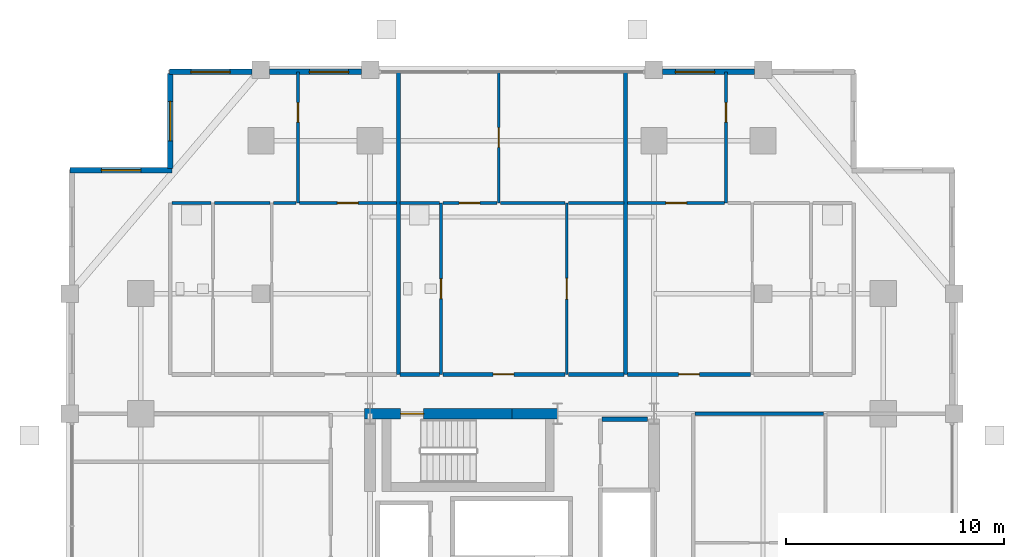
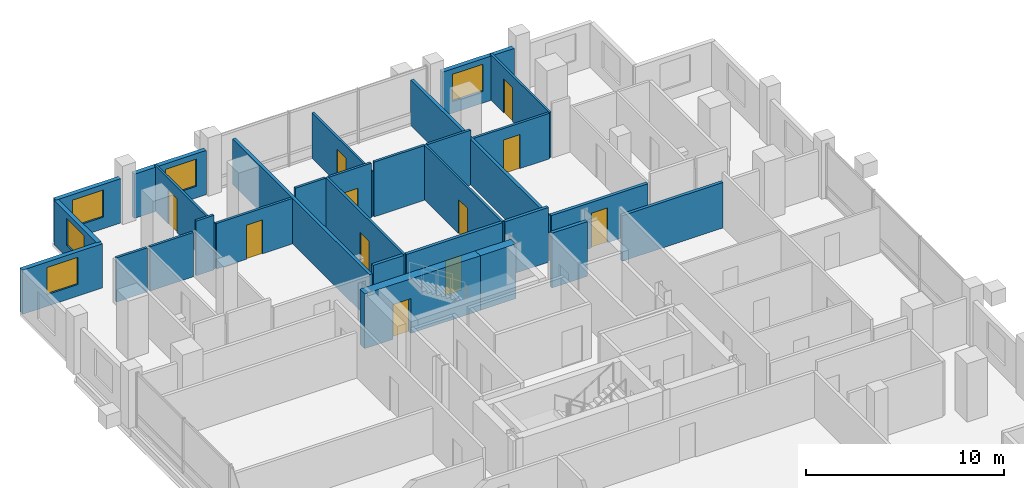
# One storey, part 16 of 19: 29 walls, 11 doors, 5 windows, 16 openings.
"""IFC4 building model written with IfcOpenShell, lengths in metres."""

from ifc_helpers import new_model, si_unit, direction, frame, frame_2d, origin, place, context, subcontext, project, spatial, rectangle, extrude, material, layer, layer_set, type_object, element, fill, save


model = new_model("IFC4")

# Units and contexts
model_context = context("Model", 3, precision=1e-05, world=origin(), true_north=direction((0.0, 1.0)))
body_context = subcontext(model_context, "Body", "Model", "MODEL_VIEW")
ifc_project = project(units=[si_unit("LENGTHUNIT", "METRE"), si_unit("AREAUNIT", "SQUARE_METRE"), si_unit("VOLUMEUNIT", "CUBIC_METRE"), si_unit("PLANEANGLEUNIT", "RADIAN"), si_unit("MASSUNIT", "GRAM", prefix="KILO")], contexts=[model_context])

# Site, building, storey
site_placement = place(None, origin())
site = spatial("IfcSite", under=ifc_project, at=site_placement, CompositionType="ELEMENT")
building_placement = place(site_placement, origin())
building = spatial("IfcBuilding", under=site, at=building_placement, Name="Barlavira Tower and Art Museum", CompositionType="ELEMENT")
storey_placement = place(building_placement, frame((0.0, 0.0, 113.39990234375)))
storey = spatial("IfcBuildingStorey", under=building, at=storey_placement, Name="L28", CompositionType="ELEMENT", Elevation=113.39990234375)

# Wall, opening, door
ifc_material_1 = material(Name="Gypsum acoustic stud partition", Category="gypsum")
ifc_layer_1 = layer(ifc_material_1, 0.1201171875, Name="Gypsum acoustic stud partition")
ifc_layer_set_1 = layer_set([ifc_layer_1], Name="Gypsum acoustic stud partition")
wall_type_1 = type_object("IfcWallType", Name="Apartment Internal Acoustic Partition 120", PredefinedType="PARTITIONING", material=ifc_layer_set_1)
wall_1_placement = place(storey_placement, frame((-9.800048828125, 17.14990234375, 0.0), z_axis=(0.0, 0.0, 1.0), x_axis=(0.0, 1.0, 0.0)))
wall_1 = element("IfcWall", 1, at=wall_1_placement, inside=storey, type_object=wall_type_1, Name="L28 Partition Wall 4", PredefinedType="PARTITIONING", context=body_context, shape_type="SweptSolid", body=[
    extrude(rectangle(XDim=6.0, YDim=0.1201171875, at=frame_2d((3.0, 0.0))), origin(), (0.0, 0.0, 1.0), 2.816162109375),
])
opening_1_placement = place(wall_1_placement, frame((3.701171875, 0.0, 0.0)))
opening_1 = element("IfcOpeningElement", 2, at=opening_1_placement, cuts=wall_1, Name="Opening D-01", PredefinedType="OPENING", context=body_context, shape_type="SweptSolid", body=[
    extrude(rectangle(XDim=0.89990234375, YDim=2.10009765625, at=frame_2d((0.449951171875, 1.050048828125))), frame((0.0, 0.070068359375, 0.0), z_axis=(0.0, -1.0, 0.0), x_axis=(1.0, 0.0, 0.0)), (0.0, 0.0, 1.0), 0.14013671875),
])
ifc_material_2 = material(Name="Engineered coastal hardwood", Category="wood")
door_type_1 = type_object("IfcDoorType", Name="Internal Bedroom Timber Flush Door 900x2100", OperationType="NOTDEFINED", PredefinedType="DOOR", material=ifc_material_2)
door_1_placement = place(opening_1_placement, origin())
door_1 = element("IfcDoor", 3, at=door_1_placement, inside=storey, type_object=door_type_1, Name="Apartment N1 Bedroom 1 Door", OperationType="SINGLE_SWING_RIGHT", OverallHeight=2.10009765625, OverallWidth=0.89990234375, PredefinedType="DOOR", context=body_context, shape_type="SweptSolid", body=[
    extrude(rectangle(XDim=0.89990234375, YDim=2.10009765625, at=frame_2d((0.449951171875, 1.050048828125))), frame((0.0, 0.02490234375, 0.0), z_axis=(0.0, -1.0, 0.0), x_axis=(1.0, 0.0, 0.0)), (0.0, 0.0, 1.0), 0.050048828125),
])
fill(opening_1, door_1)

wall_2_placement = place(storey_placement, frame((-0.60009765625, 17.14990234375, 0.0), z_axis=(0.0, 0.0, 1.0), x_axis=(0.0, 1.0, 0.0)))
wall_2 = element("IfcWall", 4, at=wall_2_placement, inside=storey, type_object=wall_type_1, Name="L28 Partition Wall 9", PredefinedType="PARTITIONING", context=body_context, shape_type="SweptSolid", body=[
    extrude(rectangle(XDim=6.0, YDim=0.1201171875, at=frame_2d((3.0, 0.0))), origin(), (0.0, 0.0, 1.0), 2.816162109375),
])
opening_2_placement = place(wall_2_placement, frame((2.550048828125, 0.0, 0.0)))
opening_2 = element("IfcOpeningElement", 5, at=opening_2_placement, cuts=wall_2, Name="Opening D-01", PredefinedType="OPENING", context=body_context, shape_type="SweptSolid", body=[
    extrude(rectangle(XDim=0.89990234375, YDim=2.10009765625, at=frame_2d((0.449951171875, 1.050048828125))), frame((0.0, 0.070068359375, 0.0), z_axis=(0.0, -1.0, 0.0), x_axis=(1.0, 0.0, 0.0)), (0.0, 0.0, 1.0), 0.14013671875),
])
door_2_placement = place(opening_2_placement, origin())
door_2 = element("IfcDoor", 6, at=door_2_placement, inside=storey, type_object=door_type_1, Name="Apartment N2 Bedroom 1 Door", OperationType="SINGLE_SWING_LEFT", OverallHeight=2.10009765625, OverallWidth=0.89990234375, PredefinedType="DOOR", context=body_context, shape_type="SweptSolid", body=[
    extrude(rectangle(XDim=0.89990234375, YDim=2.10009765625, at=frame_2d((0.449951171875, 1.050048828125))), frame((0.0, 0.02490234375, 0.0), z_axis=(0.0, -1.0, 0.0), x_axis=(1.0, 0.0, 0.0)), (0.0, 0.0, 1.0), 0.050048828125),
])
fill(opening_2, door_2)

wall_3_placement = place(storey_placement, frame((2.5, 9.300048828125, 0.0), z_axis=(0.0, 0.0, 1.0), x_axis=(0.0, 1.0, 0.0)))
wall_3 = element("IfcWall", 7, at=wall_3_placement, inside=storey, type_object=wall_type_1, Name="L28 Partition Wall 10", PredefinedType="PARTITIONING", context=body_context, shape_type="SweptSolid", body=[
    extrude(rectangle(XDim=7.849853515625, YDim=0.1201171875, at=frame_2d((3.9248046875, 0.0))), origin(), (0.0, 0.0, 1.0), 3.380126953125),
])
opening_3_placement = place(wall_3_placement, frame((3.445068359375, 0.0, 0.0)))
opening_3 = element("IfcOpeningElement", 8, at=opening_3_placement, cuts=wall_3, Name="Opening D-02", PredefinedType="OPENING", context=body_context, shape_type="SweptSolid", body=[
    extrude(rectangle(XDim=0.949951171875, YDim=2.10009765625, at=frame_2d((0.47509765625, 1.050048828125))), frame((0.0, 0.070068359375, 0.0), z_axis=(0.0, -1.0, 0.0), x_axis=(1.0, 0.0, 0.0)), (0.0, 0.0, 1.0), 0.14013671875),
])
door_type_2 = type_object("IfcDoorType", Name="Living and Salon Glazed-Leaf Door 950x2100", OperationType="NOTDEFINED", PredefinedType="DOOR", material=ifc_material_2)
door_3_placement = place(opening_3_placement, origin())
door_3 = element("IfcDoor", 9, at=door_3_placement, inside=storey, type_object=door_type_2, Name="Apartment N2 Kitchen Door", OperationType="SINGLE_SWING_LEFT", OverallHeight=2.10009765625, OverallWidth=0.949951171875, PredefinedType="DOOR", context=body_context, shape_type="SweptSolid", body=[
    extrude(rectangle(XDim=0.949951171875, YDim=2.10009765625, at=frame_2d((0.47509765625, 1.050048828125))), frame((0.0, 0.02490234375, 0.0), z_axis=(0.0, -1.0, 0.0), x_axis=(1.0, 0.0, 0.0)), (0.0, 0.0, 1.0), 0.050048828125),
])
fill(opening_3, door_3)

wall_4_placement = place(storey_placement, frame((9.800048828125, 17.14990234375, 0.0), z_axis=(0.0, 0.0, 1.0), x_axis=(0.0, 1.0, 0.0)))
wall_4 = element("IfcWall", 10, at=wall_4_placement, inside=storey, type_object=wall_type_1, Name="L28 Partition Wall 14", PredefinedType="PARTITIONING", context=body_context, shape_type="SweptSolid", body=[
    extrude(rectangle(XDim=6.0, YDim=0.1201171875, at=frame_2d((3.0, 0.0))), origin(), (0.0, 0.0, 1.0), 2.816162109375),
])
opening_4_placement = place(wall_4_placement, frame((3.701171875, 0.0, 0.0)))
opening_4 = element("IfcOpeningElement", 11, at=opening_4_placement, cuts=wall_4, Name="Opening D-01", PredefinedType="OPENING", context=body_context, shape_type="SweptSolid", body=[
    extrude(rectangle(XDim=0.89990234375, YDim=2.10009765625, at=frame_2d((0.449951171875, 1.050048828125))), frame((0.0, 0.070068359375, 0.0), z_axis=(0.0, -1.0, 0.0), x_axis=(1.0, 0.0, 0.0)), (0.0, 0.0, 1.0), 0.14013671875),
])
door_4_placement = place(opening_4_placement, origin())
door_4 = element("IfcDoor", 12, at=door_4_placement, inside=storey, type_object=door_type_1, Name="Apartment N3 Bedroom 1 Door", OperationType="SINGLE_SWING_RIGHT", OverallHeight=2.10009765625, OverallWidth=0.89990234375, PredefinedType="DOOR", context=body_context, shape_type="SweptSolid", body=[
    extrude(rectangle(XDim=0.89990234375, YDim=2.10009765625, at=frame_2d((0.449951171875, 1.050048828125))), frame((0.0, 0.02490234375, 0.0), z_axis=(0.0, -1.0, 0.0), x_axis=(1.0, 0.0, 0.0)), (0.0, 0.0, 1.0), 0.050048828125),
])
fill(opening_4, door_4)

ifc_material_3 = material(Name="Concrete C60", Category="concrete")
ifc_layer_2 = layer(ifc_material_3, 0.5, Name="Concrete C60")
ifc_layer_set_2 = layer_set([ifc_layer_2], Name="Concrete C60")
wall_type_2 = type_object("IfcWallType", Name="Core Structural Shear Wall 500 Concrete C60", PredefinedType="SHEAR", material=ifc_layer_set_2)
wall_5_placement = place(storey_placement, frame((-6.75, 7.5, 0.0), z_axis=(0.0, 0.0, 1.0), x_axis=(1.0, 0.0, 0.0)))
wall_5 = element("IfcWall", 13, at=wall_5_placement, inside=storey, type_object=wall_type_2, Name="L28 Core Shear Wall CS-NW", PredefinedType="SHEAR", context=body_context, shape_type="SweptSolid", body=[
    extrude(rectangle(XDim=6.75, YDim=0.5, at=frame_2d((3.375, 0.0))), origin(), (0.0, 0.0, 1.0), 3.380126953125),
])
opening_5_placement = place(wall_5_placement, frame((1.64990234375, 0.0, 0.0)))
opening_5 = element("IfcOpeningElement", 14, at=opening_5_placement, cuts=wall_5, Name="Opening FD-90", PredefinedType="OPENING", context=body_context, shape_type="SweptSolid", body=[
    extrude(rectangle(XDim=1.050048828125, YDim=2.14990234375, at=frame_2d((0.52490234375, 1.074951171875))), frame((0.0, 0.260009765625, 0.0), z_axis=(0.0, -1.0, 0.0), x_axis=(1.0, 0.0, 0.0)), (0.0, 0.0, 1.0), 0.52001953125),
])
ifc_material_4 = material(Name="Brushed stainless steel", Category="steel")
door_type_3 = type_object("IfcDoorType", Name="Stair and Refuge Fire Door 1050x2150 FD90S", OperationType="NOTDEFINED", PredefinedType="DOOR", material=ifc_material_4)
door_5_placement = place(opening_5_placement, origin())
door_5 = element("IfcDoor", 15, at=door_5_placement, inside=storey, type_object=door_type_3, Name="L28 Stair ST-T2 Fire Door", OperationType="SINGLE_SWING_LEFT", OverallHeight=2.14990234375, OverallWidth=1.050048828125, PredefinedType="DOOR", context=body_context, shape_type="SweptSolid", body=[
    extrude(rectangle(XDim=1.050048828125, YDim=2.14990234375, at=frame_2d((0.52490234375, 1.074951171875))), frame((0.0, 0.02490234375, 0.0), z_axis=(0.0, -1.0, 0.0), x_axis=(1.0, 0.0, 0.0)), (0.0, 0.0, 1.0), 0.050048828125),
])
fill(opening_5, door_5)

# Walls
wall_6_placement = place(storey_placement, frame((0.0, 7.5, 0.0), z_axis=(0.0, 0.0, 1.0), x_axis=(1.0, 0.0, 0.0)))
element("IfcWall", 16, at=wall_6_placement, inside=storey, type_object=wall_type_2, Name="L28 Core Shear Wall CS-EN", PredefinedType="SHEAR", context=body_context, shape_type="SweptSolid", body=[
    extrude(rectangle(XDim=2.080078125, YDim=0.5, at=frame_2d((1.0400390625, 0.0))), origin(), (0.0, 0.0, 1.0), 3.380126953125),
])
ifc_material_5 = material(Name="Autoclaved aerated concrete masonry", Category="masonry")
ifc_layer_3 = layer(ifc_material_5, 0.199951171875, Name="Autoclaved aerated concrete masonry")
ifc_layer_set_3 = layer_set([ifc_layer_3], Name="Autoclaved aerated concrete masonry")
wall_type_3 = type_object("IfcWallType", Name="Fire Compartment and Shaft Wall 200", PredefinedType="SOLIDWALL", material=ifc_layer_set_3)
wall_7_placement = place(storey_placement, frame((4.1298828125, 7.25, 0.0), z_axis=(0.0, 0.0, 1.0), x_axis=(1.0, 0.0, 0.0)))
element("IfcWall", 17, at=wall_7_placement, inside=storey, type_object=wall_type_3, Name="L28 Partition Wall 34", PredefinedType="SOLIDWALL", context=body_context, shape_type="SweptSolid", body=[
    extrude(rectangle(XDim=2.070068359375, YDim=0.199951171875, at=frame_2d((1.03515625, 0.0))), origin(), (0.0, 0.0, 1.0), 3.380126953125),
])
ifc_layer_4 = layer(ifc_material_1, 0.179931640625, Name="Gypsum acoustic stud partition")
ifc_layer_set_4 = layer_set([ifc_layer_4], Name="Gypsum acoustic stud partition")
wall_type_4 = type_object("IfcWallType", Name="Inter-Tenancy Party Partition Wall 180", PredefinedType="PARTITIONING", material=ifc_layer_set_4)
for number, where, z_axis, x_axis, name in (
    (18, (-5.199951171875, 9.300048828125, 0.0), (0.0, 0.0, 1.0), (0.0, 1.0, 0.0), "L28 Partition Wall 6"),
    (19, (5.199951171875, 9.300048828125, 0.0), (0.0, 0.0, 1.0), (0.0, 1.0, 0.0), "L28 Partition Wall 12"),
):
    element("IfcWall", number, at=place(storey_placement, frame(where, z_axis=z_axis, x_axis=x_axis)), inside=storey, type_object=wall_type_4, Name=name, PredefinedType="PARTITIONING", context=body_context, shape_type="SweptSolid", body=[
        extrude(rectangle(XDim=13.849853515625, YDim=0.179931640625, at=frame_2d((6.9248046875, 0.0))), origin(), (0.0, 0.0, 1.0), 2.816162109375),
    ])
wall_8_placement = place(storey_placement, frame((8.3798828125, 7.5, 0.0), z_axis=(0.0, 0.0, 1.0), x_axis=(1.0, 0.0, 0.0)))
element("IfcWall", 20, at=wall_8_placement, inside=storey, type_object=wall_type_4, Name="L28 Partition Wall 36", PredefinedType="PARTITIONING", context=body_context, shape_type="SweptSolid", body=[
    extrude(rectangle(XDim=5.89013671875, YDim=0.179931640625, at=frame_2d((2.945068359375, 0.0))), origin(), (0.0, 0.0, 1.0), 2.816162109375),
])
wall_9_placement = place(storey_placement, frame((-5.1201171875, 9.300048828125, 0.0), z_axis=(0.0, 0.0, 1.0), x_axis=(1.0, 0.0, 0.0)))
element("IfcWall", 21, at=wall_9_placement, inside=storey, type_object=wall_type_4, Name="L28 Partition Wall 41", PredefinedType="PARTITIONING", context=body_context, shape_type="SweptSolid", body=[
    extrude(rectangle(XDim=1.7900390625, YDim=0.179931640625, at=frame_2d((0.89501953125, 0.0))), origin(), (0.0, 0.0, 1.0), 3.380126953125),
])

# Wall, opening, door
wall_10_placement = place(storey_placement, frame((-3.169921875, 9.300048828125, 0.0), z_axis=(0.0, 0.0, 1.0), x_axis=(1.0, 0.0, 0.0)))
wall_10 = element("IfcWall", 22, at=wall_10_placement, inside=storey, type_object=wall_type_4, Name="L28 Partition Wall 42", PredefinedType="PARTITIONING", context=body_context, shape_type="SweptSolid", body=[
    extrude(rectangle(XDim=5.58984375, YDim=0.179931640625, at=frame_2d((2.794921875, 0.0))), origin(), (0.0, 0.0, 1.0), 3.380126953125),
])
opening_6_placement = place(wall_10_placement, frame((2.304931640625, 0.0, 0.0)))
opening_6 = element("IfcOpeningElement", 23, at=opening_6_placement, cuts=wall_10, Name="Opening FD-60", PredefinedType="OPENING", context=body_context, shape_type="SweptSolid", body=[
    extrude(rectangle(XDim=0.949951171875, YDim=2.14990234375, at=frame_2d((0.47509765625, 1.074951171875))), frame((0.0, 0.10009765625, 0.0), z_axis=(0.0, -1.0, 0.0), x_axis=(1.0, 0.0, 0.0)), (0.0, 0.0, 1.0), 0.199951171875),
])
door_type_4 = type_object("IfcDoorType", Name="Apartment Entrance and Riser Fire Door 950x2150 FD60S", OperationType="NOTDEFINED", PredefinedType="DOOR", material=ifc_material_4)
door_6_placement = place(opening_6_placement, origin())
door_6 = element("IfcDoor", 24, at=door_6_placement, inside=storey, type_object=door_type_4, Name="Apartment Entrance Hall N2 Door", OperationType="SINGLE_SWING_RIGHT", OverallHeight=2.14990234375, OverallWidth=0.949951171875, PredefinedType="DOOR", context=body_context, shape_type="SweptSolid", body=[
    extrude(rectangle(XDim=0.949951171875, YDim=2.14990234375, at=frame_2d((0.47509765625, 1.074951171875))), frame((0.0, 0.02490234375, 0.0), z_axis=(0.0, -1.0, 0.0), x_axis=(1.0, 0.0, 0.0)), (0.0, 0.0, 1.0), 0.050048828125),
])
fill(opening_6, door_6)

# Wall
wall_11_placement = place(storey_placement, frame((2.580078125, 9.300048828125, 0.0), z_axis=(0.0, 0.0, 1.0), x_axis=(1.0, 0.0, 0.0)))
element("IfcWall", 25, at=wall_11_placement, inside=storey, type_object=wall_type_4, Name="L28 Partition Wall 43", PredefinedType="PARTITIONING", context=body_context, shape_type="SweptSolid", body=[
    extrude(rectangle(XDim=2.5400390625, YDim=0.179931640625, at=frame_2d((1.27001953125, 0.0))), origin(), (0.0, 0.0, 1.0), 3.380126953125),
])

# Wall, opening, door
wall_12_placement = place(storey_placement, frame((5.280029296875, 9.300048828125, 0.0), z_axis=(0.0, 0.0, 1.0), x_axis=(1.0, 0.0, 0.0)))
wall_12 = element("IfcWall", 26, at=wall_12_placement, inside=storey, type_object=wall_type_4, Name="L28 Partition Wall 44", PredefinedType="PARTITIONING", context=body_context, shape_type="SweptSolid", body=[
    extrude(rectangle(XDim=5.639892578125, YDim=0.179931640625, at=frame_2d((2.81982421875, 0.0))), origin(), (0.0, 0.0, 1.0), 2.816162109375),
])
opening_7_placement = place(wall_12_placement, frame((2.344970703125, 0.0, 0.0)))
opening_7 = element("IfcOpeningElement", 27, at=opening_7_placement, cuts=wall_12, Name="Opening FD-60", PredefinedType="OPENING", context=body_context, shape_type="SweptSolid", body=[
    extrude(rectangle(XDim=0.949951171875, YDim=2.14990234375, at=frame_2d((0.47509765625, 1.074951171875))), frame((0.0, 0.10009765625, 0.0), z_axis=(0.0, -1.0, 0.0), x_axis=(1.0, 0.0, 0.0)), (0.0, 0.0, 1.0), 0.199951171875),
])
door_7_placement = place(opening_7_placement, origin())
door_7 = element("IfcDoor", 28, at=door_7_placement, inside=storey, type_object=door_type_4, Name="Apartment Entrance Hall N3 Door", OperationType="SINGLE_SWING_RIGHT", OverallHeight=2.14990234375, OverallWidth=0.949951171875, PredefinedType="DOOR", context=body_context, shape_type="SweptSolid", body=[
    extrude(rectangle(XDim=0.949951171875, YDim=2.14990234375, at=frame_2d((0.47509765625, 1.074951171875))), frame((0.0, 0.02490234375, 0.0), z_axis=(0.0, -1.0, 0.0), x_axis=(1.0, 0.0, 0.0)), (0.0, 0.0, 1.0), 0.050048828125),
])
fill(opening_7, door_7)

ifc_layer_5 = layer(ifc_material_1, 0.139892578125, Name="Gypsum acoustic stud partition")
ifc_layer_set_5 = layer_set([ifc_layer_5], Name="Gypsum acoustic stud partition")
wall_type_5 = type_object("IfcWallType", Name="Moisture-Resistant Bathroom Partition 140", PredefinedType="PARTITIONING", material=ifc_layer_set_5)
wall_13_placement = place(storey_placement, frame((-3.25, 9.300048828125, 0.0), z_axis=(0.0, 0.0, 1.0), x_axis=(0.0, 1.0, 0.0)))
wall_13 = element("IfcWall", 29, at=wall_13_placement, inside=storey, type_object=wall_type_5, Name="L28 Partition Wall 8", PredefinedType="PARTITIONING", context=body_context, shape_type="SweptSolid", body=[
    extrude(rectangle(XDim=7.849853515625, YDim=0.139892578125, at=frame_2d((3.9248046875, 0.0))), origin(), (0.0, 0.0, 1.0), 3.380126953125),
])
opening_8_placement = place(wall_13_placement, frame((3.469970703125, 0.0, 0.0)))
opening_8 = element("IfcOpeningElement", 30, at=opening_8_placement, cuts=wall_13, Name="Opening D-WC", PredefinedType="OPENING", context=body_context, shape_type="SweptSolid", body=[
    extrude(rectangle(XDim=0.89990234375, YDim=2.10009765625, at=frame_2d((0.449951171875, 1.050048828125))), frame((0.0, 0.080078125, 0.0), z_axis=(0.0, -1.0, 0.0), x_axis=(1.0, 0.0, 0.0)), (0.0, 0.0, 1.0), 0.159912109375),
])
door_type_5 = type_object("IfcDoorType", Name="Accessible Bathroom Flush Door 900x2100", OperationType="NOTDEFINED", PredefinedType="DOOR", material=ifc_material_2)
door_8_placement = place(opening_8_placement, origin())
door_8 = element("IfcDoor", 31, at=door_8_placement, inside=storey, type_object=door_type_5, Name="Apartment N2 Hall Bathroom Door", OperationType="SINGLE_SWING_LEFT", OverallHeight=2.10009765625, OverallWidth=0.89990234375, PredefinedType="DOOR", context=body_context, shape_type="SweptSolid", body=[
    extrude(rectangle(XDim=0.89990234375, YDim=2.10009765625, at=frame_2d((0.449951171875, 1.050048828125))), frame((0.0, 0.02490234375, 0.0), z_axis=(0.0, -1.0, 0.0), x_axis=(1.0, 0.0, 0.0)), (0.0, 0.0, 1.0), 0.050048828125),
])
fill(opening_8, door_8)

# Walls
wall_14_placement = place(storey_placement, frame((-15.570068359375, 17.14990234375, 0.0), z_axis=(0.0, 0.0, 1.0), x_axis=(1.0, 0.0, 0.0)))
element("IfcWall", 32, at=wall_14_placement, inside=storey, type_object=wall_type_5, Name="L28 Partition Wall 47", PredefinedType="PARTITIONING", context=body_context, shape_type="SweptSolid", body=[
    extrude(rectangle(XDim=1.7900390625, YDim=0.139892578125, at=frame_2d((0.89501953125, 0.0))), origin(), (0.0, 0.0, 1.0), 2.736083984375),
])
wall_15_placement = place(storey_placement, frame((-13.6201171875, 17.14990234375, 0.0), z_axis=(0.0, 0.0, 1.0), x_axis=(1.0, 0.0, 0.0)))
element("IfcWall", 33, at=wall_15_placement, inside=storey, type_object=wall_type_5, Name="L28 Partition Wall 48", PredefinedType="PARTITIONING", context=body_context, shape_type="SweptSolid", body=[
    extrude(rectangle(XDim=2.5400390625, YDim=0.139892578125, at=frame_2d((1.27001953125, 0.0))), origin(), (0.0, 0.0, 1.0), 2.736083984375),
])
wall_16_placement = place(storey_placement, frame((-10.919921875, 17.14990234375, 0.0), z_axis=(0.0, 0.0, 1.0), x_axis=(1.0, 0.0, 0.0)))
element("IfcWall", 34, at=wall_16_placement, inside=storey, type_object=wall_type_5, Name="L28 Partition Wall 49", PredefinedType="PARTITIONING", context=body_context, shape_type="SweptSolid", body=[
    extrude(rectangle(XDim=1.0400390625, YDim=0.139892578125, at=frame_2d((0.52001953125, 0.0))), origin(), (0.0, 0.0, 1.0), 3.380126953125),
])

# Wall, opening, door
wall_17_placement = place(storey_placement, frame((-9.719970703125, 17.14990234375, 0.0), z_axis=(0.0, 0.0, 1.0), x_axis=(1.0, 0.0, 0.0)))
wall_17 = element("IfcWall", 35, at=wall_17_placement, inside=storey, type_object=wall_type_5, Name="L28 Partition Wall 50", PredefinedType="PARTITIONING", context=body_context, shape_type="SweptSolid", body=[
    extrude(rectangle(XDim=4.43994140625, YDim=0.139892578125, at=frame_2d((2.219970703125, 0.0))), origin(), (0.0, 0.0, 1.0), 2.816162109375),
])
opening_9_placement = place(wall_17_placement, frame((1.72509765625, 0.0, 0.0)))
opening_9 = element("IfcOpeningElement", 36, at=opening_9_placement, cuts=wall_17, Name="Opening D-02", PredefinedType="OPENING", context=body_context, shape_type="SweptSolid", body=[
    extrude(rectangle(XDim=0.949951171875, YDim=2.10009765625, at=frame_2d((0.47509765625, 1.050048828125))), frame((0.0, 0.080078125, 0.0), z_axis=(0.0, -1.0, 0.0), x_axis=(1.0, 0.0, 0.0)), (0.0, 0.0, 1.0), 0.159912109375),
])
door_9_placement = place(opening_9_placement, origin())
door_9 = element("IfcDoor", 37, at=door_9_placement, inside=storey, type_object=door_type_2, Name="Apartment N1 Living Lounge Door", OperationType="SINGLE_SWING_LEFT", OverallHeight=2.10009765625, OverallWidth=0.949951171875, PredefinedType="DOOR", context=body_context, shape_type="SweptSolid", body=[
    extrude(rectangle(XDim=0.949951171875, YDim=2.10009765625, at=frame_2d((0.47509765625, 1.050048828125))), frame((0.0, 0.02490234375, 0.0), z_axis=(0.0, -1.0, 0.0), x_axis=(1.0, 0.0, 0.0)), (0.0, 0.0, 1.0), 0.050048828125),
])
fill(opening_9, door_9)

# Wall
wall_18_placement = place(storey_placement, frame((-5.1201171875, 17.14990234375, 0.0), z_axis=(0.0, 0.0, 1.0), x_axis=(1.0, 0.0, 0.0)))
element("IfcWall", 38, at=wall_18_placement, inside=storey, type_object=wall_type_5, Name="L28 Partition Wall 51", PredefinedType="PARTITIONING", context=body_context, shape_type="SweptSolid", body=[
    extrude(rectangle(XDim=1.7900390625, YDim=0.139892578125, at=frame_2d((0.89501953125, 0.0))), origin(), (0.0, 0.0, 1.0), 3.380126953125),
])

# Wall, opening, door
wall_19_placement = place(storey_placement, frame((-3.169921875, 17.14990234375, 0.0), z_axis=(0.0, 0.0, 1.0), x_axis=(1.0, 0.0, 0.0)))
wall_19 = element("IfcWall", 39, at=wall_19_placement, inside=storey, type_object=wall_type_5, Name="L28 Partition Wall 52", PredefinedType="PARTITIONING", context=body_context, shape_type="SweptSolid", body=[
    extrude(rectangle(XDim=2.489990234375, YDim=0.139892578125, at=frame_2d((1.2451171875, 0.0))), origin(), (0.0, 0.0, 1.0), 3.380126953125),
])
opening_10_placement = place(wall_19_placement, frame((0.7451171875, 0.0, 0.0)))
opening_10 = element("IfcOpeningElement", 40, at=opening_10_placement, cuts=wall_19, Name="Opening D-02", PredefinedType="OPENING", context=body_context, shape_type="SweptSolid", body=[
    extrude(rectangle(XDim=0.949951171875, YDim=2.10009765625, at=frame_2d((0.47509765625, 1.050048828125))), frame((0.0, 0.080078125, 0.0), z_axis=(0.0, -1.0, 0.0), x_axis=(1.0, 0.0, 0.0)), (0.0, 0.0, 1.0), 0.159912109375),
])
door_10_placement = place(opening_10_placement, origin())
door_10 = element("IfcDoor", 41, at=door_10_placement, inside=storey, type_object=door_type_2, Name="Apartment N2 Living Lounge Door", OperationType="SINGLE_SWING_RIGHT", OverallHeight=2.10009765625, OverallWidth=0.949951171875, PredefinedType="DOOR", context=body_context, shape_type="SweptSolid", body=[
    extrude(rectangle(XDim=0.949951171875, YDim=2.10009765625, at=frame_2d((0.47509765625, 1.050048828125))), frame((0.0, 0.02490234375, 0.0), z_axis=(0.0, -1.0, 0.0), x_axis=(1.0, 0.0, 0.0)), (0.0, 0.0, 1.0), 0.050048828125),
])
fill(opening_10, door_10)

# Walls
wall_20_placement = place(storey_placement, frame((-0.52001953125, 17.14990234375, 0.0), z_axis=(0.0, 0.0, 1.0), x_axis=(1.0, 0.0, 0.0)))
element("IfcWall", 42, at=wall_20_placement, inside=storey, type_object=wall_type_5, Name="L28 Partition Wall 53", PredefinedType="PARTITIONING", context=body_context, shape_type="SweptSolid", body=[
    extrude(rectangle(XDim=2.93994140625, YDim=0.139892578125, at=frame_2d((1.469970703125, 0.0))), origin(), (0.0, 0.0, 1.0), 3.380126953125),
])
wall_21_placement = place(storey_placement, frame((2.580078125, 17.14990234375, 0.0), z_axis=(0.0, 0.0, 1.0), x_axis=(1.0, 0.0, 0.0)))
element("IfcWall", 43, at=wall_21_placement, inside=storey, type_object=wall_type_5, Name="L28 Partition Wall 54", PredefinedType="PARTITIONING", context=body_context, shape_type="SweptSolid", body=[
    extrude(rectangle(XDim=2.5400390625, YDim=0.139892578125, at=frame_2d((1.27001953125, 0.0))), origin(), (0.0, 0.0, 1.0), 3.380126953125),
])

# Wall, opening, door
wall_22_placement = place(storey_placement, frame((5.280029296875, 17.14990234375, 0.0), z_axis=(0.0, 0.0, 1.0), x_axis=(1.0, 0.0, 0.0)))
wall_22 = element("IfcWall", 44, at=wall_22_placement, inside=storey, type_object=wall_type_5, Name="L28 Partition Wall 55", PredefinedType="PARTITIONING", context=body_context, shape_type="SweptSolid", body=[
    extrude(rectangle(XDim=4.43994140625, YDim=0.139892578125, at=frame_2d((2.219970703125, 0.0))), origin(), (0.0, 0.0, 1.0), 2.816162109375),
])
opening_11_placement = place(wall_22_placement, frame((1.764892578125, 0.0, 0.0)))
opening_11 = element("IfcOpeningElement", 45, at=opening_11_placement, cuts=wall_22, Name="Opening D-02", PredefinedType="OPENING", context=body_context, shape_type="SweptSolid", body=[
    extrude(rectangle(XDim=0.949951171875, YDim=2.10009765625, at=frame_2d((0.47509765625, 1.050048828125))), frame((0.0, 0.080078125, 0.0), z_axis=(0.0, -1.0, 0.0), x_axis=(1.0, 0.0, 0.0)), (0.0, 0.0, 1.0), 0.159912109375),
])
door_11_placement = place(opening_11_placement, origin())
door_11 = element("IfcDoor", 46, at=door_11_placement, inside=storey, type_object=door_type_2, Name="Apartment N3 Living Lounge Door", OperationType="SINGLE_SWING_LEFT", OverallHeight=2.10009765625, OverallWidth=0.949951171875, PredefinedType="DOOR", context=body_context, shape_type="SweptSolid", body=[
    extrude(rectangle(XDim=0.949951171875, YDim=2.10009765625, at=frame_2d((0.47509765625, 1.050048828125))), frame((0.0, 0.02490234375, 0.0), z_axis=(0.0, -1.0, 0.0), x_axis=(1.0, 0.0, 0.0)), (0.0, 0.0, 1.0), 0.050048828125),
])
fill(opening_11, door_11)

# Wall, opening, window
ifc_material_6 = material(Name="Precast concrete C40", Category="concrete")
ifc_layer_6 = layer(ifc_material_6, 0.25, Name="Precast concrete C40")
ifc_layer_set_6 = layer_set([ifc_layer_6], Name="Precast concrete C40")
wall_type_6 = type_object("IfcWallType", Name="Notched Corner Spandrel Wall 250 Precast Concrete C40", PredefinedType="SOLIDWALL", material=ifc_layer_set_6)
wall_23_placement = place(storey_placement, frame((11.10498046875, 23.14990234375, 0.0), z_axis=(0.0, 0.0, 1.0), x_axis=(-1.0, 0.0, 0.0)))
wall_23 = element("IfcWall", 47, at=wall_23_placement, inside=storey, type_object=wall_type_6, Name="L28 Coastal Facade Pier Wall CW2-L28-N-2", PredefinedType="SOLIDWALL", context=body_context, shape_type="SweptSolid", body=[
    extrude(rectangle(XDim=4.2099609375, YDim=0.25, at=frame_2d((2.10498046875, 0.0))), origin(), (0.0, 0.0, 1.0), 2.736083984375),
])
opening_12_placement = place(wall_23_placement, frame((1.824951171875, 0.0, 0.719970703125)))
opening_12 = element("IfcOpeningElement", 48, at=opening_12_placement, cuts=wall_23, Name="Opening WN-01", PredefinedType="OPENING", context=body_context, shape_type="SweptSolid", body=[
    extrude(rectangle(XDim=1.800048828125, YDim=1.679931640625, at=frame_2d((0.89990234375, 0.83984375))), frame((0.0, 0.135009765625, 0.0), z_axis=(0.0, -1.0, 0.0), x_axis=(1.0, 0.0, 0.0)), (0.0, 0.0, 1.0), 0.27001953125),
])
ifc_material_7 = material(Name="Low-iron coastal laminated glass", Category="glass")
window_type = type_object("IfcWindowType", Name="Recessed Notch Corner Punch Window 1800x1680", PartitioningType="SINGLE_PANEL", PredefinedType="WINDOW", material=ifc_material_7)
window_1_placement = place(opening_12_placement, origin())
window_1 = element("IfcWindow", 49, at=window_1_placement, inside=storey, type_object=window_type, Name="L28 Punched Facade Window EWP-CW2-L28-N-2-1", OverallHeight=1.679931640625, OverallWidth=1.800048828125, PartitioningType="SINGLE_PANEL", PredefinedType="WINDOW", context=body_context, shape_type="SweptSolid", body=[
    extrude(rectangle(XDim=1.800048828125, YDim=1.679931640625, at=frame_2d((0.89990234375, 0.83984375))), frame((0.0, 0.030029296875, 0.0), z_axis=(0.0, -1.0, 0.0), x_axis=(1.0, 0.0, 0.0)), (0.0, 0.0, 1.0), 0.06005859375),
])
fill(opening_12, window_1)

wall_24_placement = place(storey_placement, frame((-6.89501953125, 23.14990234375, 0.0), z_axis=(0.0, 0.0, 1.0), x_axis=(-1.0, 0.0, 0.0)))
wall_24 = element("IfcWall", 50, at=wall_24_placement, inside=storey, type_object=wall_type_6, Name="L28 Coastal Facade Pier Wall CW2-L28-N-4", PredefinedType="SOLIDWALL", context=body_context, shape_type="SweptSolid", body=[
    extrude(rectangle(XDim=4.2099609375, YDim=0.25, at=frame_2d((2.10498046875, 0.0))), origin(), (0.0, 0.0, 1.0), 2.736083984375),
])
opening_13_placement = place(wall_24_placement, frame((0.5849609375, 0.0, 0.719970703125)))
opening_13 = element("IfcOpeningElement", 51, at=opening_13_placement, cuts=wall_24, Name="Opening WN-01", PredefinedType="OPENING", context=body_context, shape_type="SweptSolid", body=[
    extrude(rectangle(XDim=1.800048828125, YDim=1.679931640625, at=frame_2d((0.89990234375, 0.83984375))), frame((0.0, 0.135009765625, 0.0), z_axis=(0.0, -1.0, 0.0), x_axis=(1.0, 0.0, 0.0)), (0.0, 0.0, 1.0), 0.27001953125),
])
window_2_placement = place(opening_13_placement, origin())
window_2 = element("IfcWindow", 52, at=window_2_placement, inside=storey, type_object=window_type, Name="L28 Punched Facade Window EWP-CW2-L28-N-4-1", OverallHeight=1.679931640625, OverallWidth=1.800048828125, PartitioningType="SINGLE_PANEL", PredefinedType="WINDOW", context=body_context, shape_type="SweptSolid", body=[
    extrude(rectangle(XDim=1.800048828125, YDim=1.679931640625, at=frame_2d((0.89990234375, 0.83984375))), frame((0.0, 0.030029296875, 0.0), z_axis=(0.0, -1.0, 0.0), x_axis=(1.0, 0.0, 0.0)), (0.0, 0.0, 1.0), 0.06005859375),
])
fill(opening_13, window_2)

wall_25_placement = place(storey_placement, frame((-11.89501953125, 23.14990234375, 0.0), z_axis=(0.0, 0.0, 1.0), x_axis=(-1.0, 0.0, 0.0)))
wall_25 = element("IfcWall", 53, at=wall_25_placement, inside=storey, type_object=wall_type_6, Name="L28 Coastal Facade Pier Wall CW2-L28-N-5", PredefinedType="SOLIDWALL", context=body_context, shape_type="SweptSolid", body=[
    extrude(rectangle(XDim=3.780029296875, YDim=0.25, at=frame_2d((1.89013671875, 0.0))), origin(), (0.0, 0.0, 1.0), 2.736083984375),
])
opening_14_placement = place(wall_25_placement, frame((1.012939453125, 0.0, 0.719970703125)))
opening_14 = element("IfcOpeningElement", 54, at=opening_14_placement, cuts=wall_25, Name="Opening WN-01", PredefinedType="OPENING", context=body_context, shape_type="SweptSolid", body=[
    extrude(rectangle(XDim=1.800048828125, YDim=1.679931640625, at=frame_2d((0.89990234375, 0.83984375))), frame((0.0, 0.135009765625, 0.0), z_axis=(0.0, -1.0, 0.0), x_axis=(1.0, 0.0, 0.0)), (0.0, 0.0, 1.0), 0.27001953125),
])
window_3_placement = place(opening_14_placement, origin())
window_3 = element("IfcWindow", 55, at=window_3_placement, inside=storey, type_object=window_type, Name="L28 Punched Facade Window EWP-CW2-L28-N-5-1", OverallHeight=1.679931640625, OverallWidth=1.800048828125, PartitioningType="SINGLE_PANEL", PredefinedType="WINDOW", context=body_context, shape_type="SweptSolid", body=[
    extrude(rectangle(XDim=1.800048828125, YDim=1.679931640625, at=frame_2d((0.89990234375, 0.83984375))), frame((0.0, 0.030029296875, 0.0), z_axis=(0.0, -1.0, 0.0), x_axis=(1.0, 0.0, 0.0)), (0.0, 0.0, 1.0), 0.06005859375),
])
fill(opening_14, window_3)

wall_26_placement = place(storey_placement, frame((-15.64990234375, 23.070068359375, 0.0), z_axis=(0.0, 0.0, 1.0), x_axis=(0.0, -1.0, 0.0)))
wall_26 = element("IfcWall", 56, at=wall_26_placement, inside=storey, type_object=wall_type_6, Name="L28 Notch Corner Wall NW1", PredefinedType="SOLIDWALL", context=body_context, shape_type="SweptSolid", body=[
    extrude(rectangle(XDim=4.340087890625, YDim=0.25, at=frame_2d((2.169921875, 0.0))), origin(), (0.0, 0.0, 1.0), 2.736083984375),
])
opening_15_placement = place(wall_26_placement, frame((1.27001953125, 0.0, 0.719970703125)))
opening_15 = element("IfcOpeningElement", 57, at=opening_15_placement, cuts=wall_26, Name="Opening WN-01", PredefinedType="OPENING", context=body_context, shape_type="SweptSolid", body=[
    extrude(rectangle(XDim=1.800048828125, YDim=1.679931640625, at=frame_2d((0.89990234375, 0.83984375))), frame((0.0, 0.135009765625, 0.0), z_axis=(0.0, -1.0, 0.0), x_axis=(1.0, 0.0, 0.0)), (0.0, 0.0, 1.0), 0.27001953125),
])
window_4_placement = place(opening_15_placement, origin())
window_4 = element("IfcWindow", 58, at=window_4_placement, inside=storey, type_object=window_type, Name="L28 Punched Facade Window EW-NTC-L28-NW1-1", OverallHeight=1.679931640625, OverallWidth=1.800048828125, PartitioningType="SINGLE_PANEL", PredefinedType="WINDOW", context=body_context, shape_type="SweptSolid", body=[
    extrude(rectangle(XDim=1.800048828125, YDim=1.679931640625, at=frame_2d((0.89990234375, 0.83984375))), frame((0.0, 0.030029296875, 0.0), z_axis=(0.0, -1.0, 0.0), x_axis=(1.0, 0.0, 0.0)), (0.0, 0.0, 1.0), 0.06005859375),
])
fill(opening_15, window_4)

wall_27_placement = place(storey_placement, frame((-15.570068359375, 18.64990234375, 0.0), z_axis=(0.0, 0.0, 1.0), x_axis=(-1.0, 0.0, 0.0)))
wall_27 = element("IfcWall", 59, at=wall_27_placement, inside=storey, type_object=wall_type_6, Name="L28 Notch Corner Wall NW2", PredefinedType="SOLIDWALL", context=body_context, shape_type="SweptSolid", body=[
    extrude(rectangle(XDim=4.659912109375, YDim=0.25, at=frame_2d((2.330078125, 0.0))), origin(), (0.0, 0.0, 1.0), 2.736083984375),
])
opening_16_placement = place(wall_27_placement, frame((1.429931640625, 0.0, 0.719970703125)))
opening_16 = element("IfcOpeningElement", 60, at=opening_16_placement, cuts=wall_27, Name="Opening WN-01", PredefinedType="OPENING", context=body_context, shape_type="SweptSolid", body=[
    extrude(rectangle(XDim=1.800048828125, YDim=1.679931640625, at=frame_2d((0.89990234375, 0.83984375))), frame((0.0, 0.135009765625, 0.0), z_axis=(0.0, -1.0, 0.0), x_axis=(1.0, 0.0, 0.0)), (0.0, 0.0, 1.0), 0.27001953125),
])
window_5_placement = place(opening_16_placement, origin())
window_5 = element("IfcWindow", 61, at=window_5_placement, inside=storey, type_object=window_type, Name="L28 Punched Facade Window EW-NTC-L28-NW2-1", OverallHeight=1.679931640625, OverallWidth=1.800048828125, PartitioningType="SINGLE_PANEL", PredefinedType="WINDOW", context=body_context, shape_type="SweptSolid", body=[
    extrude(rectangle(XDim=1.800048828125, YDim=1.679931640625, at=frame_2d((0.89990234375, 0.83984375))), frame((0.0, 0.030029296875, 0.0), z_axis=(0.0, -1.0, 0.0), x_axis=(1.0, 0.0, 0.0)), (0.0, 0.0, 1.0), 0.06005859375),
])
fill(opening_16, window_5)

save(model, "model.ifc")
